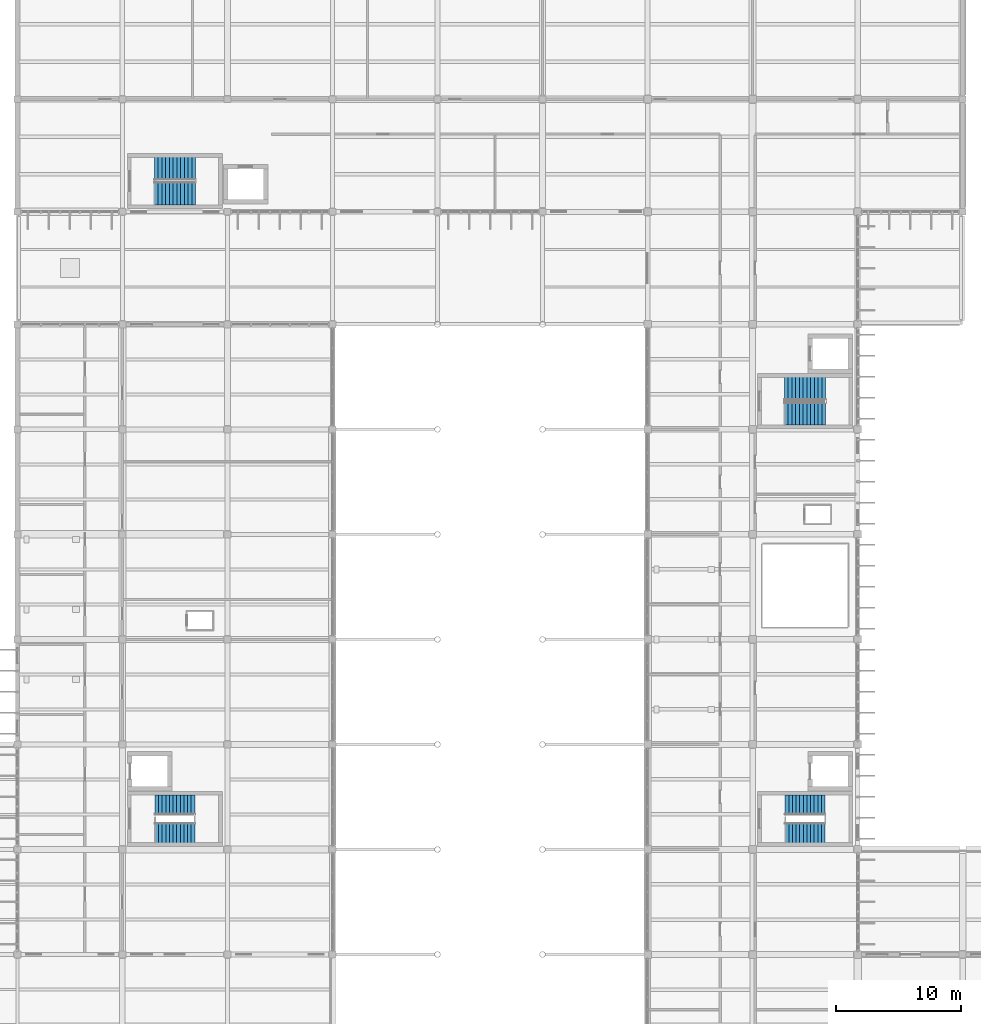
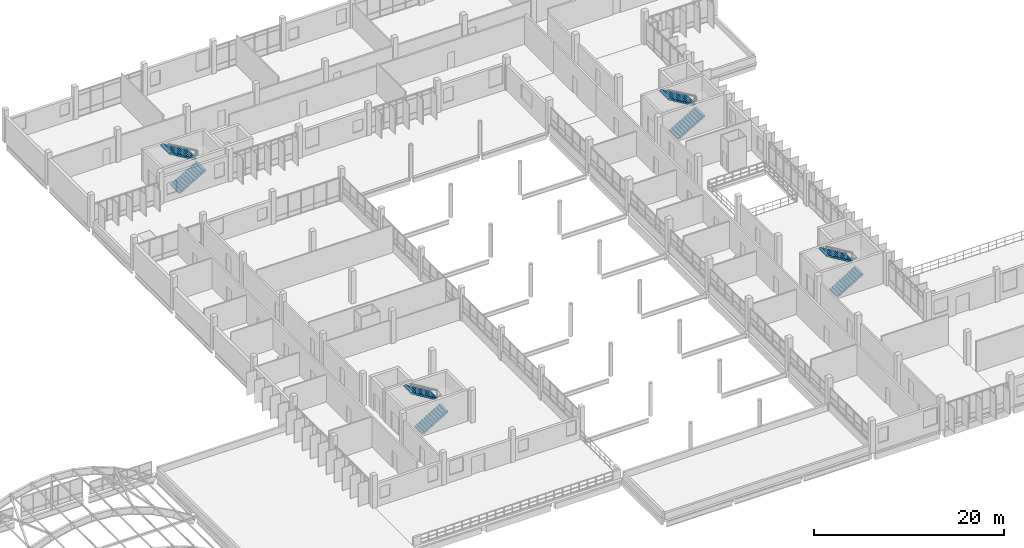
# One storey, part 119 of 130: 8 stair flights, 4 elements without a shape of their own.
"""IFC4 building model written with IfcOpenShell, lengths in metres."""

from ifc_helpers import new_model, si_unit, direction, frame, origin, place, context, subcontext, project, spatial, polyline, outline, extrude, material, type_object, element, aggregate, save


model = new_model("IFC4")

# Units and contexts
model_context = context("Model", 3, precision=1e-05, world=origin(), true_north=direction((0.0, 1.0)))
body_context = subcontext(model_context, "Body", "Model", "MODEL_VIEW")
ifc_project = project(units=[si_unit("LENGTHUNIT", "METRE"), si_unit("AREAUNIT", "SQUARE_METRE"), si_unit("VOLUMEUNIT", "CUBIC_METRE"), si_unit("PLANEANGLEUNIT", "RADIAN"), si_unit("MASSUNIT", "GRAM", prefix="KILO")], contexts=[model_context])

# Site, building, storey
site_placement = place(None, origin())
site = spatial("IfcSite", under=ifc_project, at=site_placement, CompositionType="ELEMENT")
building_placement = place(site_placement, origin())
building = spatial("IfcBuilding", under=site, at=building_placement, Name="Vireocrest Preparatory School", CompositionType="ELEMENT")
storey_placement = place(building_placement, frame((0.0, 0.0, 9.0)))
storey = spatial("IfcBuildingStorey", under=building, at=storey_placement, Name="L02", CompositionType="ELEMENT", Elevation=9.0)

# Stair, stair flights
ifc_material = material(Name="Concrete 40 MPa", Category="concrete")
stair_type_1 = type_object("IfcStairType", Name="Two-Run Exit Stair 4200 Rise 1600 Wide", PredefinedType="HALF_TURN_STAIR", material=ifc_material)
stair_1_placement = place(storey_placement, origin())
stair_1 = element("IfcStair", 1, at=stair_1_placement, inside=storey, type_object=stair_type_1, Name="Two-Run Stair ST1-L02", PredefinedType="HALF_TURN_STAIR")
stair_flight_type_1 = type_object("IfcStairFlightType", Name="Stair Flight 2100 Rise 1600 Wide", PredefinedType="STRAIGHT", material=ifc_material)
stair_flight_1_placement = place(storey_placement, frame((53.0048828125, 45.1298828125, 0.0), z_axis=(0.0, 0.0, 1.0), x_axis=(1.0, 0.0, 0.0)))
stair_flight_1 = element("IfcStairFlight", 2, at=stair_flight_1_placement, type_object=stair_flight_type_1, Name="Stair Flight ST1-L02-F1", NumberOfRisers=12, NumberOfTreads=11, PredefinedType="STRAIGHT", RiserHeight=0.175, TreadLength=0.29, context=body_context, shape_type="SweptSolid", body=[
    extrude(outline(polyline([(0.0, 0.0), (0.0, 0.175048828125), (0.2900390625, 0.175048828125), (0.2900390625, 0.35009765625), (0.580078125, 0.35009765625), (0.580078125, 0.52490234375), (0.8701171875, 0.52490234375), (0.8701171875, 0.699951171875), (1.159912109375, 0.699951171875), (1.159912109375, 0.875), (1.449951171875, 0.875), (1.449951171875, 1.050048828125), (1.739990234375, 1.050048828125), (1.739990234375, 1.22509765625), (2.030029296875, 1.22509765625), (2.030029296875, 1.39990234375), (2.320068359375, 1.39990234375), (2.320068359375, 1.574951171875), (2.610107421875, 1.574951171875), (2.610107421875, 1.75), (2.89990234375, 1.75), (2.89990234375, 1.925048828125), (3.18994140625, 1.925048828125), (3.18994140625, 2.10009765625), (3.18994140625, 1.73828125), (0.3095703125, 0.0), (0.0, 0.0)])), frame((0.0, 0.800048828125, 0.0), z_axis=(0.0, -1.0, 0.0), x_axis=(1.0, 0.0, 0.0)), (0.0, 0.0, 1.0), 1.60009765625),
])
stair_flight_2_placement = place(storey_placement, frame((56.195068359375, 47.3701171875, 2.10009765625), z_axis=(0.0, 0.0, 1.0), x_axis=(-1.0, 0.0, 0.0)))
stair_flight_2 = element("IfcStairFlight", 3, at=stair_flight_2_placement, type_object=stair_flight_type_1, Name="Stair Flight ST1-L02-F2", NumberOfRisers=12, NumberOfTreads=11, PredefinedType="STRAIGHT", RiserHeight=0.175, TreadLength=0.29, context=body_context, shape_type="SweptSolid", body=[
    extrude(outline(polyline([(0.0, 0.0), (0.0, 0.175048828125), (0.2900390625, 0.175048828125), (0.2900390625, 0.35009765625), (0.580078125, 0.35009765625), (0.580078125, 0.52490234375), (0.8701171875, 0.52490234375), (0.8701171875, 0.699951171875), (1.159912109375, 0.699951171875), (1.159912109375, 0.875), (1.449951171875, 0.875), (1.449951171875, 1.050048828125), (1.739990234375, 1.050048828125), (1.739990234375, 1.22509765625), (2.030029296875, 1.22509765625), (2.030029296875, 1.39990234375), (2.320068359375, 1.39990234375), (2.320068359375, 1.574951171875), (2.610107421875, 1.574951171875), (2.610107421875, 1.75), (2.89990234375, 1.75), (2.89990234375, 1.925048828125), (3.18994140625, 1.925048828125), (3.18994140625, 2.10009765625), (3.18994140625, 1.73828125), (0.3095703125, 0.0), (0.0, 0.0)])), frame((0.0, 0.800048828125, 0.0), z_axis=(0.0, -1.0, 0.0), x_axis=(1.0, 0.0, 0.0)), (0.0, 0.0, 1.0), 1.60009765625),
])
aggregate(stair_1, [stair_flight_1, stair_flight_2])

stair_2_placement = place(storey_placement, origin())
stair_2 = element("IfcStair", 4, at=stair_2_placement, inside=storey, type_object=stair_type_1, Name="Two-Run Stair ST2-L02", PredefinedType="HALF_TURN_STAIR")
stair_flight_3_placement = place(storey_placement, frame((103.405029296875, 45.1298828125, 0.0), z_axis=(0.0, 0.0, 1.0), x_axis=(1.0, 0.0, 0.0)))
stair_flight_3 = element("IfcStairFlight", 5, at=stair_flight_3_placement, type_object=stair_flight_type_1, Name="Stair Flight ST2-L02-F1", NumberOfRisers=12, NumberOfTreads=11, PredefinedType="STRAIGHT", RiserHeight=0.175, TreadLength=0.29, context=body_context, shape_type="SweptSolid", body=[
    extrude(outline(polyline([(0.0, 0.0), (0.0, 0.175048828125), (0.2900390625, 0.175048828125), (0.2900390625, 0.35009765625), (0.580078125, 0.35009765625), (0.580078125, 0.52490234375), (0.8701171875, 0.52490234375), (0.8701171875, 0.699951171875), (1.159912109375, 0.699951171875), (1.159912109375, 0.875), (1.449951171875, 0.875), (1.449951171875, 1.050048828125), (1.739990234375, 1.050048828125), (1.739990234375, 1.22509765625), (2.030029296875, 1.22509765625), (2.030029296875, 1.39990234375), (2.320068359375, 1.39990234375), (2.320068359375, 1.574951171875), (2.610107421875, 1.574951171875), (2.610107421875, 1.75), (2.89990234375, 1.75), (2.89990234375, 1.925048828125), (3.18994140625, 1.925048828125), (3.18994140625, 2.10009765625), (3.18994140625, 1.73828125), (0.3095703125, 0.0), (0.0, 0.0)])), frame((0.0, 0.800048828125, 0.0), z_axis=(0.0, -1.0, 0.0), x_axis=(1.0, 0.0, 0.0)), (0.0, 0.0, 1.0), 1.60009765625),
])
stair_flight_4_placement = place(storey_placement, frame((106.594970703125, 47.3701171875, 2.10009765625), z_axis=(0.0, 0.0, 1.0), x_axis=(-1.0, 0.0, 0.0)))
stair_flight_4 = element("IfcStairFlight", 6, at=stair_flight_4_placement, type_object=stair_flight_type_1, Name="Stair Flight ST2-L02-F2", NumberOfRisers=12, NumberOfTreads=11, PredefinedType="STRAIGHT", RiserHeight=0.175, TreadLength=0.29, context=body_context, shape_type="SweptSolid", body=[
    extrude(outline(polyline([(0.0, 0.0), (0.0, 0.175048828125), (0.2900390625, 0.175048828125), (0.2900390625, 0.35009765625), (0.580078125, 0.35009765625), (0.580078125, 0.52490234375), (0.8701171875, 0.52490234375), (0.8701171875, 0.699951171875), (1.159912109375, 0.699951171875), (1.159912109375, 0.875), (1.449951171875, 0.875), (1.449951171875, 1.050048828125), (1.739990234375, 1.050048828125), (1.739990234375, 1.22509765625), (2.030029296875, 1.22509765625), (2.030029296875, 1.39990234375), (2.320068359375, 1.39990234375), (2.320068359375, 1.574951171875), (2.610107421875, 1.574951171875), (2.610107421875, 1.75), (2.89990234375, 1.75), (2.89990234375, 1.925048828125), (3.18994140625, 1.925048828125), (3.18994140625, 2.10009765625), (3.18994140625, 1.73828125), (0.3095703125, 0.0), (0.0, 0.0)])), frame((0.0, 0.800048828125, 0.0), z_axis=(0.0, -1.0, 0.0), x_axis=(1.0, 0.0, 0.0)), (0.0, 0.0, 1.0), 1.60009765625),
])
aggregate(stair_2, [stair_flight_3, stair_flight_4])

stair_type_2 = type_object("IfcStairType", Name="Feature Library Stair 4200 Rise 1800 Wide", PredefinedType="HALF_TURN_STAIR", material=ifc_material)
stair_3_placement = place(storey_placement, origin())
stair_3 = element("IfcStair", 7, at=stair_3_placement, inside=storey, type_object=stair_type_2, Name="Two-Run Stair ST3-L02", PredefinedType="HALF_TURN_STAIR")
stair_flight_type_2 = type_object("IfcStairFlightType", Name="Stair Flight 2100 Rise 1800 Wide", PredefinedType="STRAIGHT", material=ifc_material)
stair_flight_5_placement = place(storey_placement, frame((52.949951171875, 96.2548828125, 0.0), z_axis=(0.0, 0.0, 1.0), x_axis=(1.0, 0.0, 0.0)))
stair_flight_5 = element("IfcStairFlight", 8, at=stair_flight_5_placement, type_object=stair_flight_type_2, Name="Stair Flight ST3-L02-F1", NumberOfRisers=12, NumberOfTreads=11, PredefinedType="STRAIGHT", RiserHeight=0.175, TreadLength=0.3, context=body_context, shape_type="SweptSolid", body=[
    extrude(outline(polyline([(0.0, 0.0), (0.0, 0.175048828125), (0.300048828125, 0.175048828125), (0.300048828125, 0.35009765625), (0.60009765625, 0.35009765625), (0.60009765625, 0.52490234375), (0.89990234375, 0.52490234375), (0.89990234375, 0.699951171875), (1.199951171875, 0.699951171875), (1.199951171875, 0.875), (1.5, 0.875), (1.5, 1.050048828125), (1.800048828125, 1.050048828125), (1.800048828125, 1.22509765625), (2.10009765625, 1.22509765625), (2.10009765625, 1.39990234375), (2.39990234375, 1.39990234375), (2.39990234375, 1.574951171875), (2.699951171875, 1.574951171875), (2.699951171875, 1.75), (3.0, 1.75), (3.0, 1.925048828125), (3.300048828125, 1.925048828125), (3.300048828125, 2.10009765625), (3.300048828125, 1.739990234375), (0.3173828125, 0.0), (0.0, 0.0)])), frame((0.0, 0.925048828125, 0.0), z_axis=(0.0, -1.0, 0.0), x_axis=(1.0, 0.0, 0.0)), (0.0, 0.0, 1.0), 1.85009765625),
])
stair_flight_6_placement = place(storey_placement, frame((56.25, 98.2451171875, 2.10009765625), z_axis=(0.0, 0.0, 1.0), x_axis=(-1.0, 0.0, 0.0)))
stair_flight_6 = element("IfcStairFlight", 9, at=stair_flight_6_placement, type_object=stair_flight_type_2, Name="Stair Flight ST3-L02-F2", NumberOfRisers=12, NumberOfTreads=11, PredefinedType="STRAIGHT", RiserHeight=0.175, TreadLength=0.3, context=body_context, shape_type="SweptSolid", body=[
    extrude(outline(polyline([(0.0, 0.0), (0.0, 0.175048828125), (0.300048828125, 0.175048828125), (0.300048828125, 0.35009765625), (0.60009765625, 0.35009765625), (0.60009765625, 0.52490234375), (0.89990234375, 0.52490234375), (0.89990234375, 0.699951171875), (1.199951171875, 0.699951171875), (1.199951171875, 0.875), (1.5, 0.875), (1.5, 1.050048828125), (1.800048828125, 1.050048828125), (1.800048828125, 1.22509765625), (2.10009765625, 1.22509765625), (2.10009765625, 1.39990234375), (2.39990234375, 1.39990234375), (2.39990234375, 1.574951171875), (2.699951171875, 1.574951171875), (2.699951171875, 1.75), (3.0, 1.75), (3.0, 1.925048828125), (3.300048828125, 1.925048828125), (3.300048828125, 2.10009765625), (3.300048828125, 1.739990234375), (0.3173828125, 0.0), (0.0, 0.0)])), frame((0.0, 0.925048828125, 0.0), z_axis=(0.0, -1.0, 0.0), x_axis=(1.0, 0.0, 0.0)), (0.0, 0.0, 1.0), 1.85009765625),
])
aggregate(stair_3, [stair_flight_5, stair_flight_6])

stair_4_placement = place(storey_placement, origin())
stair_4 = element("IfcStair", 10, at=stair_4_placement, inside=storey, type_object=stair_type_2, Name="Two-Run Stair ST4-L02", PredefinedType="HALF_TURN_STAIR")
stair_flight_7_placement = place(storey_placement, frame((103.35009765625, 78.655029296875, 0.0), z_axis=(0.0, 0.0, 1.0), x_axis=(1.0, 0.0, 0.0)))
stair_flight_7 = element("IfcStairFlight", 11, at=stair_flight_7_placement, type_object=stair_flight_type_2, Name="Stair Flight ST4-L02-F1", NumberOfRisers=12, NumberOfTreads=11, PredefinedType="STRAIGHT", RiserHeight=0.175, TreadLength=0.3, context=body_context, shape_type="SweptSolid", body=[
    extrude(outline(polyline([(0.0, 0.0), (0.0, 0.175048828125), (0.300048828125, 0.175048828125), (0.300048828125, 0.35009765625), (0.60009765625, 0.35009765625), (0.60009765625, 0.52490234375), (0.89990234375, 0.52490234375), (0.89990234375, 0.699951171875), (1.199951171875, 0.699951171875), (1.199951171875, 0.875), (1.5, 0.875), (1.5, 1.050048828125), (1.800048828125, 1.050048828125), (1.800048828125, 1.22509765625), (2.10009765625, 1.22509765625), (2.10009765625, 1.39990234375), (2.39990234375, 1.39990234375), (2.39990234375, 1.574951171875), (2.699951171875, 1.574951171875), (2.699951171875, 1.75), (3.0, 1.75), (3.0, 1.925048828125), (3.300048828125, 1.925048828125), (3.300048828125, 2.10009765625), (3.300048828125, 1.739990234375), (0.3173828125, 0.0), (0.0, 0.0)])), frame((0.0, 0.925048828125, 0.0), z_axis=(0.0, -1.0, 0.0), x_axis=(1.0, 0.0, 0.0)), (0.0, 0.0, 1.0), 1.85009765625),
])
stair_flight_8_placement = place(storey_placement, frame((106.64990234375, 80.64501953125, 2.10009765625), z_axis=(0.0, 0.0, 1.0), x_axis=(-1.0, 0.0, 0.0)))
stair_flight_8 = element("IfcStairFlight", 12, at=stair_flight_8_placement, type_object=stair_flight_type_2, Name="Stair Flight ST4-L02-F2", NumberOfRisers=12, NumberOfTreads=11, PredefinedType="STRAIGHT", RiserHeight=0.175, TreadLength=0.3, context=body_context, shape_type="SweptSolid", body=[
    extrude(outline(polyline([(0.0, 0.0), (0.0, 0.175048828125), (0.300048828125, 0.175048828125), (0.300048828125, 0.35009765625), (0.60009765625, 0.35009765625), (0.60009765625, 0.52490234375), (0.89990234375, 0.52490234375), (0.89990234375, 0.699951171875), (1.199951171875, 0.699951171875), (1.199951171875, 0.875), (1.5, 0.875), (1.5, 1.050048828125), (1.800048828125, 1.050048828125), (1.800048828125, 1.22509765625), (2.10009765625, 1.22509765625), (2.10009765625, 1.39990234375), (2.39990234375, 1.39990234375), (2.39990234375, 1.574951171875), (2.699951171875, 1.574951171875), (2.699951171875, 1.75), (3.0, 1.75), (3.0, 1.925048828125), (3.300048828125, 1.925048828125), (3.300048828125, 2.10009765625), (3.300048828125, 1.739990234375), (0.3173828125, 0.0), (0.0, 0.0)])), frame((0.0, 0.925048828125, 0.0), z_axis=(0.0, -1.0, 0.0), x_axis=(1.0, 0.0, 0.0)), (0.0, 0.0, 1.0), 1.85009765625),
])
aggregate(stair_4, [stair_flight_7, stair_flight_8])

save(model, "model.ifc")
